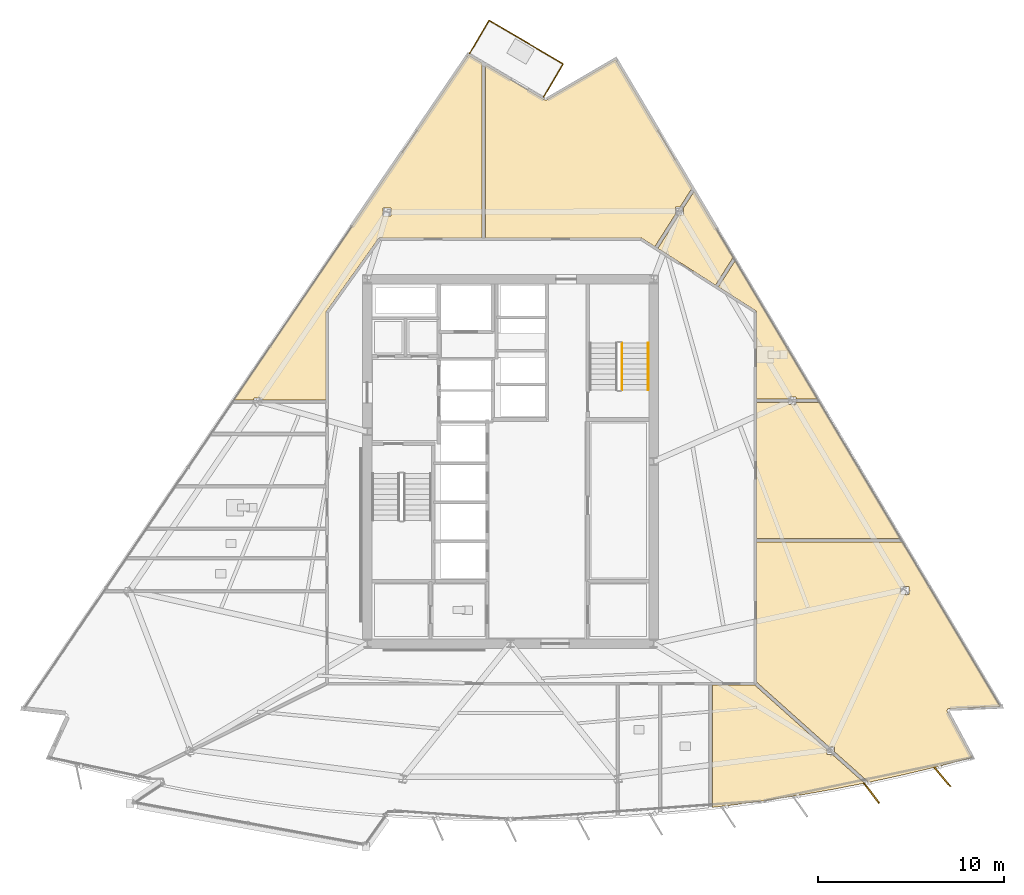
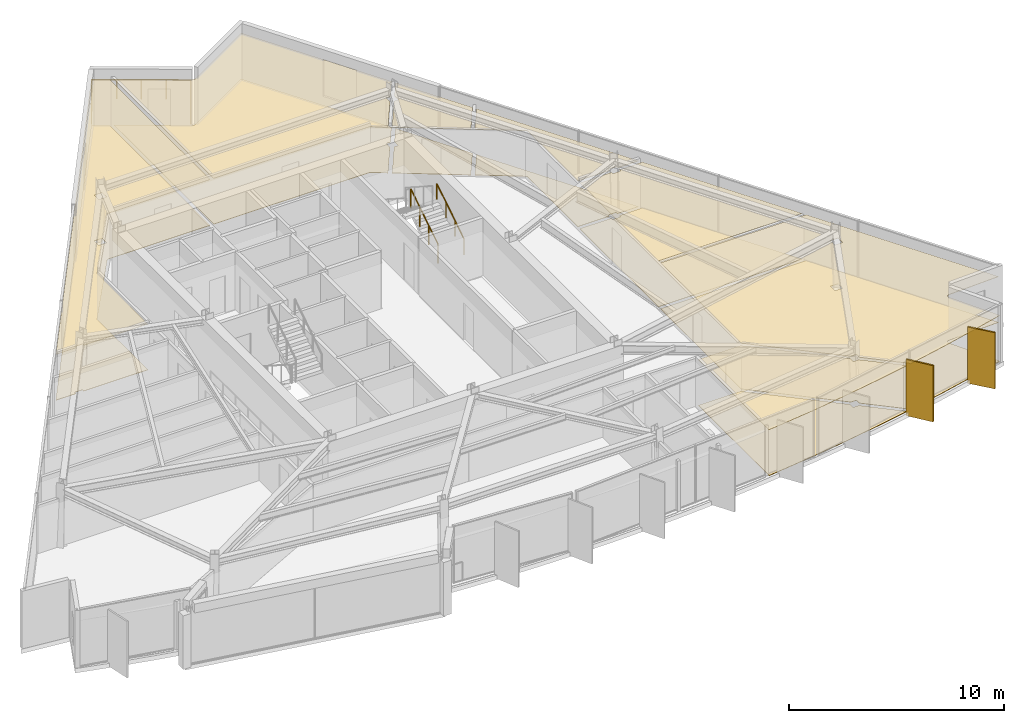
# One storey, part 13 of 14: 14 coverings, 5 railings, 2 shading devices.
"""IFC4 building model written with IfcOpenShell, lengths in metres."""

from ifc_helpers import new_model, si_unit, direction, frame, origin, origin_2d, place, context, subcontext, project, spatial, polyline, rectangle, circle, outline, extrude, material, layer, layer_set, type_object, element, save


model = new_model("IFC4")

# Units and contexts
model_context = context("Model", 3, precision=1e-05, world=origin(), true_north=direction((0.0, 1.0)))
body_context = subcontext(model_context, "Body", "Model", "MODEL_VIEW")
ifc_project = project(units=[si_unit("LENGTHUNIT", "METRE"), si_unit("AREAUNIT", "SQUARE_METRE"), si_unit("VOLUMEUNIT", "CUBIC_METRE"), si_unit("PLANEANGLEUNIT", "RADIAN"), si_unit("MASSUNIT", "GRAM", prefix="KILO")], contexts=[model_context])

# Site, building, storey
site_placement = place(None, origin())
site = spatial("IfcSite", under=ifc_project, at=site_placement, CompositionType="ELEMENT")
building_placement = place(site_placement, origin())
building = spatial("IfcBuilding", under=site, at=building_placement, Name="Savorim Split Tower", CompositionType="ELEMENT")
storey_placement = place(building_placement, frame((0.0, 0.0, 181.800048828125)))
storey = spatial("IfcBuildingStorey", under=building, at=storey_placement, Name="L48", CompositionType="ELEMENT", Elevation=181.800048828125)

# Coverings
ifc_material_1 = material(Name="Mineral Fibre Acoustic Ceiling")
ifc_layer_1 = layer(ifc_material_1, 0.02490234375)
ifc_layer_set_1 = layer_set([ifc_layer_1], Name="COV-CEIL-25")
covering_type_1 = type_object("IfcCoveringType", Name="COV-CEIL-25", PredefinedType="CEILING", material=ifc_layer_set_1)
covering_1_placement = place(storey_placement, frame((0.0, 0.0, 2.599853515625)))
element("IfcCovering", 1, at=covering_1_placement, inside=storey, type_object=covering_type_1, Name="L48 Communal Lounge Acoustic Ceiling", PredefinedType="CEILING", context=body_context, shape_type="SweptSolid", body=[
    extrude(outline(polyline([(11.6279296875, -18.1171875), (13.5537109375, -17.859619140625), (15.4736328125, -17.5625), (17.38720703125, -17.226318359375), (19.03271484375, -16.90234375), (17.3193359375, -15.37060546875), (17.016845703125, -15.37060546875), (17.016845703125, -15.100341796875), (13.144775390625, -11.639404296875), (13.12109375, -11.6181640625), (13.11376953125, -11.619384765625), (13.10009765625, -11.6201171875), (10.851318359375, -11.6201171875), (10.851318359375, -18.205078125), (11.6279296875, -18.1171875)])), origin(), (0.0, 0.0, 1.0), 0.025146484375),
])
covering_2_placement = place(storey_placement, frame((0.0, 0.0, 2.599853515625)))
element("IfcCovering", 2, at=covering_2_placement, inside=storey, type_object=covering_type_1, Name="L48 Co-Working Commons Acoustic Ceiling", PredefinedType="CEILING", context=body_context, shape_type="SweptSolid", body=[
    extrude(outline(polyline([(23.5703125, -12.8935546875), (23.58154296875, -12.891357421875), (23.593017578125, -12.890380859375), (26.335205078125, -12.773681640625), (21.0859375, -3.946044921875), (13.239990234375, -3.946044921875), (13.239990234375, -11.4697265625), (17.135498046875, -14.95166015625), (17.43798828125, -14.95166015625), (17.43798828125, -15.221923828125), (19.166259765625, -16.7666015625), (19.237060546875, -16.830078125), (19.2021484375, -16.868896484375), (19.29345703125, -16.85107421875), (21.19140625, -16.436767578125), (23.080810546875, -15.98388671875), (24.814208984375, -15.530517578125), (23.492431640625, -13.06689453125), (23.4873046875, -13.056396484375), (23.4833984375, -13.045654296875), (23.480712890625, -13.034423828125), (23.478759765625, -13.023193359375), (23.47802734375, -13.01171875), (23.478515625, -13.0), (23.47998046875, -12.988525390625), (23.482666015625, -12.977294921875), (23.486328125, -12.96630859375), (23.4912109375, -12.955810546875), (23.496826171875, -12.94580078125), (23.50341796875, -12.936279296875), (23.510986328125, -12.927734375), (23.519287109375, -12.919677734375), (23.5283203125, -12.91259765625), (23.5380859375, -12.90625), (23.54833984375, -12.90087890625), (23.55908203125, -12.896728515625), (23.5703125, -12.8935546875)]), holes=[polyline([(21.42822265625, -6.74560546875), (21.42822265625, -6.32666015625), (21.00732421875, -6.32666015625), (21.00732421875, -6.74560546875), (21.42822265625, -6.74560546875)])]), origin(), (0.0, 0.0, 1.0), 0.025146484375),
])
covering_3_placement = place(storey_placement, frame((0.0, 0.0, 2.599853515625)))
element("IfcCovering", 3, at=covering_3_placement, inside=storey, type_object=covering_type_1, Name="L48 Maker Workshop Acoustic Ceiling", PredefinedType="CEILING", context=body_context, shape_type="SweptSolid", body=[
    extrude(outline(polyline([(14.943115234375, 3.452880859375), (14.943115234375, 3.5673828125), (13.239990234375, 3.5673828125), (13.239990234375, -3.756103515625), (20.972900390625, -3.756103515625), (16.5986328125, 3.6005859375), (16.5986328125, 3.5673828125), (15.364013671875, 3.5673828125), (15.364013671875, 3.452880859375), (14.943115234375, 3.452880859375)])), origin(), (0.0, 0.0, 1.0), 0.025146484375),
])
covering_4_placement = place(storey_placement, frame((0.0, 0.0, 2.599853515625)))
element("IfcCovering", 4, at=covering_4_placement, inside=storey, type_object=covering_type_1, Name="L48 Shared Bathroom Acoustic Ceiling", PredefinedType="CEILING", context=body_context, shape_type="SweptSolid", body=[
    extrude(outline(polyline([(15.364013671875, 3.8720703125), (15.364013671875, 3.757568359375), (16.503662109375, 3.757568359375), (16.50537109375, 3.757568359375), (12.083251953125, 11.194091796875), (11.185791015625, 9.783447265625), (13.175048828125, 8.51806640625), (13.1865234375, 8.510009765625), (13.197265625, 8.500732421875), (13.206787109375, 8.490478515625), (13.21533203125, 8.479248046875), (13.22265625, 8.46728515625), (13.22900390625, 8.45458984375), (13.233642578125, 8.44140625), (13.2373046875, 8.427978515625), (13.2392578125, 8.4140625), (13.239990234375, 8.39990234375), (13.239990234375, 3.757568359375), (14.943115234375, 3.757568359375), (14.943115234375, 3.8720703125), (15.364013671875, 3.8720703125)])), origin(), (0.0, 0.0, 1.0), 0.025146484375),
])
covering_5_placement = place(storey_placement, frame((0.0, 0.0, 2.599853515625)))
element("IfcCovering", 5, at=covering_5_placement, inside=storey, type_object=covering_type_1, Name="L48 Quiet Study Room Acoustic Ceiling", PredefinedType="CEILING", context=body_context, shape_type="SweptSolid", body=[
    extrude(outline(polyline([(9.068603515625, 13.651611328125), (7.9267578125, 11.8564453125), (7.9267578125, 11.8564453125), (11.025634765625, 9.885498046875), (11.974609375, 11.377197265625), (9.871337890625, 14.9140625), (9.2998046875, 14.01513671875), (9.2998046875, 13.651611328125), (9.068603515625, 13.651611328125)])), origin(), (0.0, 0.0, 1.0), 0.025146484375),
])
covering_6_placement = place(storey_placement, frame((0.0, 0.0, 2.599853515625)))
element("IfcCovering", 6, at=covering_6_placement, inside=storey, type_object=covering_type_1, Name="L48 Co-Working Commons Acoustic Ceiling", PredefinedType="CEILING", context=body_context, shape_type="SweptSolid", body=[
    extrude(outline(polyline([(1.85205078125, 19.838134765625), (1.84130859375, 19.842529296875), (1.831298828125, 19.847900390625), (-1.349609375, 21.71728515625), (-1.349609375, 12.419921875), (7.0, 12.419921875), (7.01318359375, 12.41943359375), (7.0263671875, 12.41748046875), (7.0390625, 12.414306640625), (7.051513671875, 12.41015625), (7.063720703125, 12.40478515625), (7.0751953125, 12.398193359375), (7.766357421875, 11.95849609375), (8.878662109375, 13.707275390625), (8.878662109375, 14.07080078125), (9.10986328125, 14.07080078125), (9.706787109375, 15.00927734375), (9.7578125, 15.08935546875), (9.772705078125, 15.07958984375), (5.65478515625, 22.00537109375), (1.952392578125, 19.84765625), (1.942138671875, 19.84228515625), (1.931396484375, 19.838134765625), (1.92041015625, 19.834716796875), (1.9091796875, 19.83251953125), (1.897705078125, 19.83154296875), (1.885986328125, 19.83154296875), (1.87451171875, 19.832763671875), (1.86328125, 19.8349609375), (1.85205078125, 19.838134765625)])), origin(), (0.0, 0.0, 1.0), 0.025146484375),
])
covering_7_placement = place(storey_placement, frame((0.0, 0.0, 2.599853515625)))
element("IfcCovering", 7, at=covering_7_placement, inside=storey, type_object=covering_type_1, Name="L48 Maker Workshop Acoustic Ceiling", PredefinedType="CEILING", context=body_context, shape_type="SweptSolid", body=[
    extrude(outline(polyline([(-7.0, 12.419921875), (-1.53955078125, 12.419921875), (-1.53955078125, 21.8291015625), (-2.259521484375, 22.252197265625), (-14.8740234375, 3.708740234375), (-13.793701171875, 3.708740234375), (-13.793701171875, 3.8232421875), (-13.37255859375, 3.8232421875), (-13.37255859375, 3.708740234375), (-9.919921875, 3.708740234375), (-9.919921875, 8.39990234375), (-9.919189453125, 8.41455078125), (-9.9169921875, 8.4287109375), (-9.913330078125, 8.44287109375), (-9.908203125, 8.456298828125), (-9.901611328125, 8.46923828125), (-9.893798828125, 8.4814453125), (-7.11376953125, 12.361572265625), (-7.105712890625, 12.3720703125), (-7.096435546875, 12.381591796875), (-7.086181640625, 12.39013671875), (-7.075439453125, 12.39794921875), (-7.06396484375, 12.404541015625), (-7.052001953125, 12.409912109375), (-7.039306640625, 12.414306640625), (-7.0263671875, 12.41748046875), (-7.01318359375, 12.41943359375), (-7.0, 12.419921875)]), holes=[polyline([(-6.4345703125, 14.02197265625), (-6.855712890625, 14.02197265625), (-6.855712890625, 13.602783203125), (-6.4345703125, 13.602783203125), (-6.4345703125, 14.02197265625)])]), origin(), (0.0, 0.0, 1.0), 0.025146484375),
])
ifc_material_2 = material(Name="Porcelain Stoneware Flooring", Category="masonry")
ifc_layer_2 = layer(ifc_material_2, 0.02001953125)
ifc_layer_set_2 = layer_set([ifc_layer_2], Name="COV-FLOR-20")
covering_type_2 = type_object("IfcCoveringType", Name="COV-FLOR-20", PredefinedType="FLOORING", material=ifc_layer_set_2)
covering_8_placement = place(storey_placement, origin())
element("IfcCovering", 8, at=covering_8_placement, inside=storey, type_object=covering_type_2, Name="L48 Communal Lounge Porcelain Flooring", PredefinedType="FLOORING", context=body_context, shape_type="SweptSolid", body=[
    extrude(outline(polyline([(11.6279296875, -18.1171875), (13.5537109375, -17.859619140625), (15.4736328125, -17.5625), (17.38720703125, -17.226318359375), (19.03271484375, -16.90234375), (17.3193359375, -15.37060546875), (17.016845703125, -15.37060546875), (17.016845703125, -15.100341796875), (13.144775390625, -11.639404296875), (13.12109375, -11.6181640625), (13.11376953125, -11.619384765625), (13.10009765625, -11.6201171875), (10.851318359375, -11.6201171875), (10.851318359375, -18.205078125), (11.6279296875, -18.1171875)])), origin(), (0.0, 0.0, 1.0), 0.02001953125),
])
covering_9_placement = place(storey_placement, origin())
element("IfcCovering", 9, at=covering_9_placement, inside=storey, type_object=covering_type_2, Name="L48 Co-Working Commons Porcelain Flooring", PredefinedType="FLOORING", context=body_context, shape_type="SweptSolid", body=[
    extrude(outline(polyline([(23.5703125, -12.8935546875), (23.58154296875, -12.891357421875), (23.593017578125, -12.890380859375), (26.335205078125, -12.773681640625), (21.0859375, -3.946044921875), (13.239990234375, -3.946044921875), (13.239990234375, -11.4697265625), (17.135498046875, -14.95166015625), (17.43798828125, -14.95166015625), (17.43798828125, -15.221923828125), (19.166259765625, -16.7666015625), (19.237060546875, -16.830078125), (19.2021484375, -16.868896484375), (19.29345703125, -16.85107421875), (21.19140625, -16.436767578125), (23.080810546875, -15.98388671875), (24.814208984375, -15.530517578125), (23.492431640625, -13.06689453125), (23.4873046875, -13.056396484375), (23.4833984375, -13.045654296875), (23.480712890625, -13.034423828125), (23.478759765625, -13.023193359375), (23.47802734375, -13.01171875), (23.478515625, -13.0), (23.47998046875, -12.988525390625), (23.482666015625, -12.977294921875), (23.486328125, -12.96630859375), (23.4912109375, -12.955810546875), (23.496826171875, -12.94580078125), (23.50341796875, -12.936279296875), (23.510986328125, -12.927734375), (23.519287109375, -12.919677734375), (23.5283203125, -12.91259765625), (23.5380859375, -12.90625), (23.54833984375, -12.90087890625), (23.55908203125, -12.896728515625), (23.5703125, -12.8935546875)]), holes=[polyline([(21.42822265625, -6.74560546875), (21.42822265625, -6.32666015625), (21.00732421875, -6.32666015625), (21.00732421875, -6.74560546875), (21.42822265625, -6.74560546875)])]), origin(), (0.0, 0.0, 1.0), 0.02001953125),
])
covering_10_placement = place(storey_placement, origin())
element("IfcCovering", 10, at=covering_10_placement, inside=storey, type_object=covering_type_2, Name="L48 Maker Workshop Porcelain Flooring", PredefinedType="FLOORING", context=body_context, shape_type="SweptSolid", body=[
    extrude(outline(polyline([(14.943115234375, 3.452880859375), (14.943115234375, 3.5673828125), (13.239990234375, 3.5673828125), (13.239990234375, -3.756103515625), (20.972900390625, -3.756103515625), (16.5986328125, 3.6005859375), (16.5986328125, 3.5673828125), (15.364013671875, 3.5673828125), (15.364013671875, 3.452880859375), (14.943115234375, 3.452880859375)])), origin(), (0.0, 0.0, 1.0), 0.02001953125),
])
covering_11_placement = place(storey_placement, origin())
element("IfcCovering", 11, at=covering_11_placement, inside=storey, type_object=covering_type_2, Name="L48 Shared Bathroom Porcelain Flooring", PredefinedType="FLOORING", context=body_context, shape_type="SweptSolid", body=[
    extrude(outline(polyline([(15.364013671875, 3.8720703125), (15.364013671875, 3.757568359375), (16.503662109375, 3.757568359375), (16.50537109375, 3.757568359375), (12.083251953125, 11.194091796875), (11.185791015625, 9.783447265625), (13.175048828125, 8.51806640625), (13.1865234375, 8.510009765625), (13.197265625, 8.500732421875), (13.206787109375, 8.490478515625), (13.21533203125, 8.479248046875), (13.22265625, 8.46728515625), (13.22900390625, 8.45458984375), (13.233642578125, 8.44140625), (13.2373046875, 8.427978515625), (13.2392578125, 8.4140625), (13.239990234375, 8.39990234375), (13.239990234375, 3.757568359375), (14.943115234375, 3.757568359375), (14.943115234375, 3.8720703125), (15.364013671875, 3.8720703125)])), origin(), (0.0, 0.0, 1.0), 0.02001953125),
])
covering_12_placement = place(storey_placement, origin())
element("IfcCovering", 12, at=covering_12_placement, inside=storey, type_object=covering_type_2, Name="L48 Quiet Study Room Porcelain Flooring", PredefinedType="FLOORING", context=body_context, shape_type="SweptSolid", body=[
    extrude(outline(polyline([(9.068603515625, 13.651611328125), (7.9267578125, 11.8564453125), (7.9267578125, 11.8564453125), (11.025634765625, 9.885498046875), (11.974609375, 11.377197265625), (9.871337890625, 14.9140625), (9.2998046875, 14.01513671875), (9.2998046875, 13.651611328125), (9.068603515625, 13.651611328125)])), origin(), (0.0, 0.0, 1.0), 0.02001953125),
])
covering_13_placement = place(storey_placement, origin())
element("IfcCovering", 13, at=covering_13_placement, inside=storey, type_object=covering_type_2, Name="L48 Co-Working Commons Porcelain Flooring", PredefinedType="FLOORING", context=body_context, shape_type="SweptSolid", body=[
    extrude(outline(polyline([(1.85205078125, 19.838134765625), (1.84130859375, 19.842529296875), (1.831298828125, 19.847900390625), (-1.349609375, 21.71728515625), (-1.349609375, 12.419921875), (7.0, 12.419921875), (7.01318359375, 12.41943359375), (7.0263671875, 12.41748046875), (7.0390625, 12.414306640625), (7.051513671875, 12.41015625), (7.063720703125, 12.40478515625), (7.0751953125, 12.398193359375), (7.766357421875, 11.95849609375), (8.878662109375, 13.707275390625), (8.878662109375, 14.07080078125), (9.10986328125, 14.07080078125), (9.706787109375, 15.00927734375), (9.7578125, 15.08935546875), (9.772705078125, 15.07958984375), (5.65478515625, 22.00537109375), (1.952392578125, 19.84765625), (1.942138671875, 19.84228515625), (1.931396484375, 19.838134765625), (1.92041015625, 19.834716796875), (1.9091796875, 19.83251953125), (1.897705078125, 19.83154296875), (1.885986328125, 19.83154296875), (1.87451171875, 19.832763671875), (1.86328125, 19.8349609375), (1.85205078125, 19.838134765625)])), origin(), (0.0, 0.0, 1.0), 0.02001953125),
])
covering_14_placement = place(storey_placement, origin())
element("IfcCovering", 14, at=covering_14_placement, inside=storey, type_object=covering_type_2, Name="L48 Maker Workshop Porcelain Flooring", PredefinedType="FLOORING", context=body_context, shape_type="SweptSolid", body=[
    extrude(outline(polyline([(-7.0, 12.419921875), (-1.53955078125, 12.419921875), (-1.53955078125, 21.8291015625), (-2.259521484375, 22.252197265625), (-14.8740234375, 3.708740234375), (-13.793701171875, 3.708740234375), (-13.793701171875, 3.8232421875), (-13.37255859375, 3.8232421875), (-13.37255859375, 3.708740234375), (-9.919921875, 3.708740234375), (-9.919921875, 8.39990234375), (-9.919189453125, 8.41455078125), (-9.9169921875, 8.4287109375), (-9.913330078125, 8.44287109375), (-9.908203125, 8.456298828125), (-9.901611328125, 8.46923828125), (-9.893798828125, 8.4814453125), (-7.11376953125, 12.361572265625), (-7.105712890625, 12.3720703125), (-7.096435546875, 12.381591796875), (-7.086181640625, 12.39013671875), (-7.075439453125, 12.39794921875), (-7.06396484375, 12.404541015625), (-7.052001953125, 12.409912109375), (-7.039306640625, 12.414306640625), (-7.0263671875, 12.41748046875), (-7.01318359375, 12.41943359375), (-7.0, 12.419921875)]), holes=[polyline([(-6.4345703125, 14.02197265625), (-6.855712890625, 14.02197265625), (-6.855712890625, 13.602783203125), (-6.4345703125, 13.602783203125), (-6.4345703125, 14.02197265625)])]), origin(), (0.0, 0.0, 1.0), 0.02001953125),
])

# Railings
ifc_material_3 = material(Name="Galvanised Painted Steel Balustrade", Category="steel")
railing_type_1 = type_object("IfcRailingType", Name="RLG-BAL-1100", PredefinedType="BALUSTRADE", material=ifc_material_3)
railing_1_placement = place(storey_placement, frame((-2.19189453125, 22.351806640625, 0.0)))
element("IfcRailing", 15, at=railing_1_placement, inside=storey, type_object=railing_type_1, Name="L48 Tree Balcony Guardrail N-1", PredefinedType="BALUSTRADE", context=body_context, shape_type="SweptSolid", body=[
    extrude(circle(Radius=0.02392578125, at=origin_2d()), frame((0.0, 0.0, 1.076171875), z_axis=(0.50664533146, 0.862154573211, 0.0), x_axis=(-0.862154573211, 0.50664533146, 0.0)), (0.0, 0.0, 1.0), 2.0498046875),
    extrude(circle(Radius=0.02099609375, at=origin_2d()), origin(), (0.0, 0.0, 1.0), 1.052001953125),
    extrude(circle(Radius=0.02099609375, at=origin_2d()), frame((0.519287109375, 0.8837890625, 0.0)), (0.0, 0.0, 1.0), 1.052001953125),
    extrude(circle(Radius=0.02099609375, at=origin_2d()), frame((1.03857421875, 1.767333984375, 0.0)), (0.0, 0.0, 1.0), 1.052001953125),
])
railing_2_placement = place(storey_placement, frame((-1.1533203125, 24.119140625, 0.0)))
element("IfcRailing", 16, at=railing_2_placement, inside=storey, type_object=railing_type_1, Name="L48 Tree Balcony Guardrail N-2", PredefinedType="BALUSTRADE", context=body_context, shape_type="SweptSolid", body=[
    extrude(circle(Radius=0.02392578125, at=origin_2d()), frame((0.0, 0.0, 1.076171875), z_axis=(0.862109514664, -0.506721999449, 0.0), x_axis=(0.506721999449, 0.862109514664, 0.0)), (0.0, 0.0, 1.0), 4.6171875),
    extrude(circle(Radius=0.02099609375, at=origin_2d()), origin(), (0.0, 0.0, 1.0), 1.052001953125),
    extrude(circle(Radius=0.02099609375, at=origin_2d()), frame((0.9951171875, -0.5849609375, 0.0)), (0.0, 0.0, 1.0), 1.052001953125),
    extrude(circle(Radius=0.02099609375, at=origin_2d()), frame((1.990234375, -1.169921875, 0.0)), (0.0, 0.0, 1.0), 1.052001953125),
    extrude(circle(Radius=0.02099609375, at=origin_2d()), frame((2.9853515625, -1.754638671875, 0.0)), (0.0, 0.0, 1.0), 1.052001953125),
    extrude(circle(Radius=0.02099609375, at=origin_2d()), frame((3.98046875, -2.339599609375, 0.0)), (0.0, 0.0, 1.0), 1.052001953125),
])
railing_3_placement = place(storey_placement, frame((2.8271484375, 21.779541015625, 0.0)))
element("IfcRailing", 17, at=railing_3_placement, inside=storey, type_object=railing_type_1, Name="L48 Tree Balcony Guardrail N-3", PredefinedType="BALUSTRADE", context=body_context, shape_type="SweptSolid", body=[
    extrude(circle(Radius=0.02392578125, at=origin_2d()), frame((0.0, 0.0, 1.076171875), z_axis=(-0.50664533146, -0.862154573211, 0.0), x_axis=(0.862154573211, -0.50664533146, 0.0)), (0.0, 0.0, 1.0), 2.0498046875),
    extrude(circle(Radius=0.02099609375, at=origin_2d()), origin(), (0.0, 0.0, 1.0), 1.052001953125),
    extrude(circle(Radius=0.02099609375, at=origin_2d()), frame((-0.519287109375, -0.8837890625, 0.0)), (0.0, 0.0, 1.0), 1.052001953125),
    extrude(circle(Radius=0.02099609375, at=origin_2d()), frame((-1.03857421875, -1.767333984375, 0.0)), (0.0, 0.0, 1.0), 1.052001953125),
])
railing_type_2 = type_object("IfcRailingType", Name="RLG-HR-900", PredefinedType="HANDRAIL", material=ifc_material_3)
railing_4_placement = place(storey_placement, frame((7.39990234375, 4.25, 0.179931640625)))
element("IfcRailing", 18, at=railing_4_placement, inside=storey, type_object=railing_type_2, Name="L48 ST-2 stair handrail 1", PredefinedType="HANDRAIL", context=body_context, shape_type="SweptSolid", body=[
    extrude(circle(Radius=0.02392578125, at=origin_2d()), frame((0.0, 0.0, 0.8759765625), z_axis=(0.0, 0.841162588446, 0.540782303519), x_axis=(-1.0, 0.0, 0.0)), (0.0, 0.0, 1.0), 2.995849609375),
    extrude(circle(Radius=0.02099609375, at=origin_2d()), origin(), (0.0, 0.0, 1.0), 0.851806640625),
    extrude(circle(Radius=0.02099609375, at=origin_2d()), frame((0.0, 0.840087890625, 0.5400390625)), (0.0, 0.0, 1.0), 0.851806640625),
    extrude(circle(Radius=0.02099609375, at=origin_2d()), frame((0.0, 1.679931640625, 1.080078125)), (0.0, 0.0, 1.0), 0.851806640625),
    extrude(circle(Radius=0.02099609375, at=origin_2d()), frame((0.0, 2.52001953125, 1.6201171875)), (0.0, 0.0, 1.0), 0.851806640625),
])
railing_type_3 = type_object("IfcRailingType", Name="RLG-STG-1100", PredefinedType="BALUSTRADE", material=ifc_material_3)
railing_5_placement = place(storey_placement, frame((6.0, 4.25, 0.179931640625)))
element("IfcRailing", 19, at=railing_5_placement, inside=storey, type_object=railing_type_3, Name="L48 ST-2 stair guard 1", PredefinedType="BALUSTRADE", context=body_context, shape_type="SweptSolid", body=[
    extrude(circle(Radius=0.02392578125, at=origin_2d()), frame((0.0, 0.0, 1.076171875), z_axis=(0.0, 0.841162588446, 0.540782303519), x_axis=(-1.0, 0.0, 0.0)), (0.0, 0.0, 1.0), 2.995849609375),
    extrude(circle(Radius=0.02099609375, at=origin_2d()), origin(), (0.0, 0.0, 1.0), 1.052001953125),
    extrude(circle(Radius=0.02099609375, at=origin_2d()), frame((0.0, 0.840087890625, 0.5400390625)), (0.0, 0.0, 1.0), 1.052001953125),
    extrude(circle(Radius=0.02099609375, at=origin_2d()), frame((0.0, 1.679931640625, 1.080078125)), (0.0, 0.0, 1.0), 1.052001953125),
    extrude(circle(Radius=0.02099609375, at=origin_2d()), frame((0.0, 2.52001953125, 1.6201171875)), (0.0, 0.0, 1.0), 1.052001953125),
])

# Shading devices
ifc_material_4 = material(Name="Terracotta Ceramic-Coated Aluminium Fin", Category="masonry")
shading_device_type = type_object("IfcShadingDeviceType", Name="SHD-FIN-1360", PredefinedType="USERDEFINED", material=ifc_material_4)
for number, where, z_axis, x_axis, name in (
    (20, (19.41455078125, -17.4345703125, -0.2001953125), (0.0, 0.0, 1.0), (0.611868076908, -0.790959832394, 0.0), "L48 Sawtooth Shading Fin 12"),
    (21, (23.2255859375, -16.56201171875, -0.2001953125), (0.0, 0.0, 1.0), (0.643719022682, -0.765261928909, 0.0), "L48 Sawtooth Shading Fin 13"),
):
    element("IfcShadingDevice", number, at=place(storey_placement, frame(where, z_axis=z_axis, x_axis=x_axis)), inside=storey, type_object=shading_device_type, Name=name, ObjectType="FIN", PredefinedType="USERDEFINED", context=body_context, shape_type="SweptSolid", body=[
        extrude(rectangle(XDim=1.360107421875, YDim=0.080078125, at=origin_2d()), origin(), (0.0, 0.0, 1.0), 3.199951171875),
    ])

save(model, "model.ifc")
